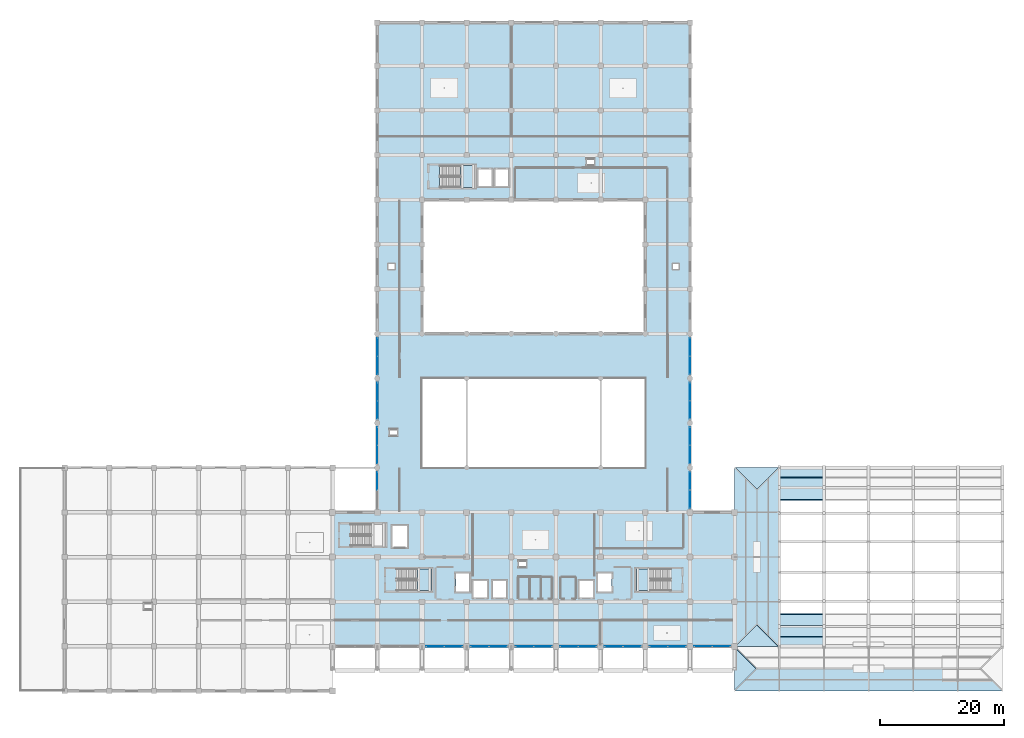
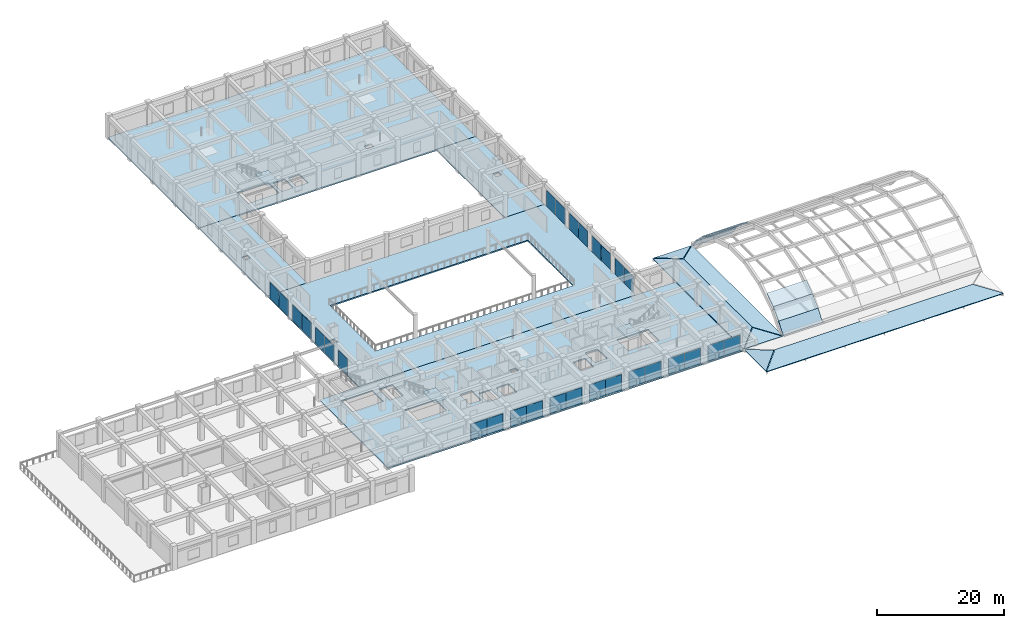
# One storey, part 30 of 54: 29 plates, 20 slabs, 18 elements without a shape of their own.
"""IFC4 building model written with IfcOpenShell, lengths in metres."""

from ifc_helpers import new_model, si_unit, direction, frame, origin, origin_2d, place, context, subcontext, project, spatial, polyline, rectangle, outline, extrude, material, layer, layer_set, type_object, element, aggregate, save


model = new_model("IFC4")

# Units and contexts
model_context = context("Model", 3, precision=1e-05, world=origin(), true_north=direction((0.0, 1.0)))
body_context = subcontext(model_context, "Body", "Model", "MODEL_VIEW")
ifc_project = project(units=[si_unit("LENGTHUNIT", "METRE"), si_unit("AREAUNIT", "SQUARE_METRE"), si_unit("VOLUMEUNIT", "CUBIC_METRE"), si_unit("PLANEANGLEUNIT", "RADIAN"), si_unit("MASSUNIT", "GRAM", prefix="KILO")], contexts=[model_context])

# Site, building, storey
site_placement = place(None, origin())
site = spatial("IfcSite", under=ifc_project, at=site_placement, CompositionType="ELEMENT")
building_placement = place(site_placement, origin())
building = spatial("IfcBuilding", under=site, at=building_placement, Name="Kazehaya Institute of Natural Sciences", CompositionType="ELEMENT")
storey_placement = place(building_placement, frame((0.0, 0.0, 10.43994140625)))
storey = spatial("IfcBuildingStorey", under=building, at=storey_placement, Name="L02", CompositionType="ELEMENT", Elevation=10.43994140625)

# Curtain wall, plates
ifc_material_1 = material(Name="Aluminium alloy A6063S-T5", Category="aluminium")
curtain_wall_type = type_object("IfcCurtainWallType", Name="CW-SYS-03", PredefinedType="NOTDEFINED", material=ifc_material_1)
curtain_wall_1_placement = place(storey_placement, origin())
curtain_wall_1 = element("IfcCurtainWall", 1, at=curtain_wall_1_placement, inside=storey, type_object=curtain_wall_type, Name="L02 unitised curtain wall CW-L02-048", PredefinedType="NOTDEFINED")
ifc_material_2 = material(Name="Low-E double-glazed vision glass", Category="glass")
ifc_layer_1 = layer(ifc_material_2, 0.030029296875, Name="Low-E double-glazed vision glass", Category="glass")
ifc_layer_set_1 = layer_set([ifc_layer_1], Name="Low-E double-glazed vision glass")
plate_type_1 = type_object("IfcPlateType", Name="CWP-01", PredefinedType="CURTAIN_PANEL", material=ifc_layer_set_1)
plate_1_placement = place(storey_placement, frame((117.264892578125, 14.0, 0.06005859375), z_axis=(0.0, 0.0, 1.0), x_axis=(-1.0, 0.0, 0.0)))
plate_1 = element("IfcPlate", 2, at=plate_1_placement, type_object=plate_type_1, Name="CW03 panel 1.1", PredefinedType="CURTAIN_PANEL", context=body_context, shape_type="SweptSolid", body=[
    extrude(rectangle(XDim=2.8701171875, YDim=0.030029296875, at=origin_2d()), origin(), (0.0, 0.0, 1.0), 3.06005859375),
])
plate_2_placement = place(storey_placement, frame((114.3349609375, 14.0, 0.06005859375), z_axis=(0.0, 0.0, 1.0), x_axis=(-1.0, 0.0, 0.0)))
plate_2 = element("IfcPlate", 3, at=plate_2_placement, type_object=plate_type_1, Name="CW03 panel 2.1", PredefinedType="CURTAIN_PANEL", context=body_context, shape_type="SweptSolid", body=[
    extrude(rectangle(XDim=2.8701171875, YDim=0.030029296875, at=origin_2d()), origin(), (0.0, 0.0, 1.0), 3.06005859375),
])
aggregate(curtain_wall_1, [plate_1, plate_2])

curtain_wall_2_placement = place(storey_placement, origin())
curtain_wall_2 = element("IfcCurtainWall", 4, at=curtain_wall_2_placement, inside=storey, type_object=curtain_wall_type, Name="L02 unitised curtain wall CW-L02-049", PredefinedType="NOTDEFINED")
ifc_layer_2 = layer(ifc_material_2, 0.0400390625, Name="Low-E double-glazed vision glass", Category="glass")
ifc_layer_set_2 = layer_set([ifc_layer_2], Name="Low-E double-glazed vision glass")
plate_type_2 = type_object("IfcPlateType", Name="CWP-02", PredefinedType="CURTAIN_PANEL", material=ifc_layer_set_2)
plate_3_placement = place(storey_placement, frame((110.06494140625, 14.0, 0.06005859375), z_axis=(0.0, 0.0, 1.0), x_axis=(-1.0, 0.0, 0.0)))
plate_3 = element("IfcPlate", 5, at=plate_3_placement, type_object=plate_type_2, Name="CW03 panel 1.1", PredefinedType="CURTAIN_PANEL", context=body_context, shape_type="SweptSolid", body=[
    extrude(rectangle(XDim=2.8701171875, YDim=0.0400390625, at=origin_2d()), origin(), (0.0, 0.0, 1.0), 3.06005859375),
])
plate_4_placement = place(storey_placement, frame((107.135009765625, 14.0, 0.06005859375), z_axis=(0.0, 0.0, 1.0), x_axis=(-1.0, 0.0, 0.0)))
plate_4 = element("IfcPlate", 6, at=plate_4_placement, type_object=plate_type_2, Name="CW03 panel 2.1", PredefinedType="CURTAIN_PANEL", context=body_context, shape_type="SweptSolid", body=[
    extrude(rectangle(XDim=2.8701171875, YDim=0.0400390625, at=origin_2d()), origin(), (0.0, 0.0, 1.0), 3.06005859375),
])
aggregate(curtain_wall_2, [plate_3, plate_4])

# Curtain wall, plate
curtain_wall_3_placement = place(storey_placement, origin())
curtain_wall_3 = element("IfcCurtainWall", 7, at=curtain_wall_3_placement, inside=storey, type_object=curtain_wall_type, Name="L02 unitised curtain wall CW-L02-023", PredefinedType="NOTDEFINED")
ifc_layer_3 = layer(ifc_material_2, 0.050048828125, Name="Low-E double-glazed vision glass", Category="glass")
ifc_layer_set_3 = layer_set([ifc_layer_3], Name="Low-E double-glazed vision glass")
plate_type_3 = type_object("IfcPlateType", Name="CWP-03", PredefinedType="CURTAIN_PANEL", material=ifc_layer_set_3)
plate_5_placement = place(storey_placement, frame((61.800048828125, 40.6650390625, 0.06005859375), z_axis=(0.0, 0.0, 1.0), x_axis=(0.0, 1.0, 0.0)))
plate_5 = element("IfcPlate", 8, at=plate_5_placement, type_object=plate_type_3, Name="CW03 panel 2.1", PredefinedType="CURTAIN_PANEL", context=body_context, shape_type="SweptSolid", body=[
    extrude(rectangle(XDim=2.8701171875, YDim=0.050048828125, at=origin_2d()), origin(), (0.0, 0.0, 1.0), 3.06005859375),
])
aggregate(curtain_wall_3, [plate_5])

# Curtain wall, plates
curtain_wall_4_placement = place(storey_placement, origin())
curtain_wall_4 = element("IfcCurtainWall", 9, at=curtain_wall_4_placement, inside=storey, type_object=curtain_wall_type, Name="L02 unitised curtain wall CW-L02-050", PredefinedType="NOTDEFINED")
plate_6_placement = place(storey_placement, frame((102.864990234375, 14.0, 0.06005859375), z_axis=(0.0, 0.0, 1.0), x_axis=(-1.0, 0.0, 0.0)))
plate_6 = element("IfcPlate", 10, at=plate_6_placement, type_object=plate_type_3, Name="CW03 panel 1.1", PredefinedType="CURTAIN_PANEL", context=body_context, shape_type="SweptSolid", body=[
    extrude(rectangle(XDim=2.8701171875, YDim=0.050048828125, at=origin_2d()), origin(), (0.0, 0.0, 1.0), 3.06005859375),
])
plate_7_placement = place(storey_placement, frame((99.93505859375, 14.0, 0.06005859375), z_axis=(0.0, 0.0, 1.0), x_axis=(-1.0, 0.0, 0.0)))
plate_7 = element("IfcPlate", 11, at=plate_7_placement, type_object=plate_type_3, Name="CW03 panel 2.1", PredefinedType="CURTAIN_PANEL", context=body_context, shape_type="SweptSolid", body=[
    extrude(rectangle(XDim=2.8701171875, YDim=0.050048828125, at=origin_2d()), origin(), (0.0, 0.0, 1.0), 3.06005859375),
])
aggregate(curtain_wall_4, [plate_6, plate_7])

curtain_wall_5_placement = place(storey_placement, origin())
curtain_wall_5 = element("IfcCurtainWall", 12, at=curtain_wall_5_placement, inside=storey, type_object=curtain_wall_type, Name="L02 unitised curtain wall CW-L02-024", PredefinedType="NOTDEFINED")
ifc_layer_4 = layer(ifc_material_2, 0.06005859375, Name="Low-E double-glazed vision glass", Category="glass")
ifc_layer_set_4 = layer_set([ifc_layer_4], Name="Low-E double-glazed vision glass")
plate_type_4 = type_object("IfcPlateType", Name="CWP-04", PredefinedType="CURTAIN_PANEL", material=ifc_layer_set_4)
plate_8_placement = place(storey_placement, frame((112.199951171875, 40.6650390625, 0.06005859375), z_axis=(0.0, 0.0, 1.0), x_axis=(0.0, -1.0, 0.0)))
plate_8 = element("IfcPlate", 13, at=plate_8_placement, type_object=plate_type_4, Name="CW03 panel 1.1", PredefinedType="CURTAIN_PANEL", context=body_context, shape_type="SweptSolid", body=[
    extrude(rectangle(XDim=2.8701171875, YDim=0.06005859375, at=origin_2d()), origin(), (0.0, 0.0, 1.0), 3.06005859375),
])
plate_9_placement = place(storey_placement, frame((112.199951171875, 37.735107421875, 0.06005859375), z_axis=(0.0, 0.0, 1.0), x_axis=(0.0, -1.0, 0.0)))
plate_9 = element("IfcPlate", 14, at=plate_9_placement, type_object=plate_type_4, Name="CW03 panel 2.1", PredefinedType="CURTAIN_PANEL", context=body_context, shape_type="SweptSolid", body=[
    extrude(rectangle(XDim=2.8701171875, YDim=0.06005859375, at=origin_2d()), origin(), (0.0, 0.0, 1.0), 3.06005859375),
])
aggregate(curtain_wall_5, [plate_8, plate_9])

curtain_wall_6_placement = place(storey_placement, origin())
curtain_wall_6 = element("IfcCurtainWall", 15, at=curtain_wall_6_placement, inside=storey, type_object=curtain_wall_type, Name="L02 unitised curtain wall CW-L02-025", PredefinedType="NOTDEFINED")
plate_10_placement = place(storey_placement, frame((61.800048828125, 44.93505859375, 0.06005859375), z_axis=(0.0, 0.0, 1.0), x_axis=(0.0, 1.0, 0.0)))
plate_10 = element("IfcPlate", 16, at=plate_10_placement, type_object=plate_type_4, Name="CW03 panel 1.1", PredefinedType="CURTAIN_PANEL", context=body_context, shape_type="SweptSolid", body=[
    extrude(rectangle(XDim=2.8701171875, YDim=0.06005859375, at=origin_2d()), origin(), (0.0, 0.0, 1.0), 3.06005859375),
])
plate_11_placement = place(storey_placement, frame((61.800048828125, 47.864990234375, 0.06005859375), z_axis=(0.0, 0.0, 1.0), x_axis=(0.0, 1.0, 0.0)))
plate_11 = element("IfcPlate", 17, at=plate_11_placement, type_object=plate_type_4, Name="CW03 panel 2.1", PredefinedType="CURTAIN_PANEL", context=body_context, shape_type="SweptSolid", body=[
    extrude(rectangle(XDim=2.8701171875, YDim=0.06005859375, at=origin_2d()), origin(), (0.0, 0.0, 1.0), 3.06005859375),
])
aggregate(curtain_wall_6, [plate_10, plate_11])

curtain_wall_7_placement = place(storey_placement, origin())
curtain_wall_7 = element("IfcCurtainWall", 18, at=curtain_wall_7_placement, inside=storey, type_object=curtain_wall_type, Name="L02 unitised curtain wall CW-L02-051", PredefinedType="NOTDEFINED")
plate_12_placement = place(storey_placement, frame((95.6650390625, 14.0, 0.06005859375), z_axis=(0.0, 0.0, 1.0), x_axis=(-1.0, 0.0, 0.0)))
plate_12 = element("IfcPlate", 19, at=plate_12_placement, type_object=plate_type_4, Name="CW03 panel 1.1", PredefinedType="CURTAIN_PANEL", context=body_context, shape_type="SweptSolid", body=[
    extrude(rectangle(XDim=2.8701171875, YDim=0.06005859375, at=origin_2d()), origin(), (0.0, 0.0, 1.0), 3.06005859375),
])
plate_13_placement = place(storey_placement, frame((92.735107421875, 14.0, 0.06005859375), z_axis=(0.0, 0.0, 1.0), x_axis=(-1.0, 0.0, 0.0)))
plate_13 = element("IfcPlate", 20, at=plate_13_placement, type_object=plate_type_4, Name="CW03 panel 2.1", PredefinedType="CURTAIN_PANEL", context=body_context, shape_type="SweptSolid", body=[
    extrude(rectangle(XDim=2.8701171875, YDim=0.06005859375, at=origin_2d()), origin(), (0.0, 0.0, 1.0), 3.06005859375),
])
aggregate(curtain_wall_7, [plate_12, plate_13])

curtain_wall_8_placement = place(storey_placement, origin())
curtain_wall_8 = element("IfcCurtainWall", 21, at=curtain_wall_8_placement, inside=storey, type_object=curtain_wall_type, Name="L02 unitised curtain wall CW-L02-026", PredefinedType="NOTDEFINED")
ifc_material_3 = material(Name="Insulated bronze aluminium spandrel panel", Category="aluminium")
ifc_layer_5 = layer(ifc_material_3, 0.070068359375, Name="Insulated bronze aluminium spandrel panel", Category="aluminium")
ifc_layer_set_5 = layer_set([ifc_layer_5], Name="Insulated bronze aluminium spandrel panel")
plate_type_5 = type_object("IfcPlateType", Name="CWP-05", PredefinedType="CURTAIN_PANEL", material=ifc_layer_set_5)
plate_14_placement = place(storey_placement, frame((112.199951171875, 47.864990234375, 0.06005859375), z_axis=(0.0, 0.0, 1.0), x_axis=(0.0, -1.0, 0.0)))
plate_14 = element("IfcPlate", 22, at=plate_14_placement, type_object=plate_type_5, Name="CW03 panel 1.1", PredefinedType="CURTAIN_PANEL", context=body_context, shape_type="SweptSolid", body=[
    extrude(rectangle(XDim=2.8701171875, YDim=0.070068359375, at=origin_2d()), origin(), (0.0, 0.0, 1.0), 3.06005859375),
])
plate_15_placement = place(storey_placement, frame((112.199951171875, 44.93505859375, 0.06005859375), z_axis=(0.0, 0.0, 1.0), x_axis=(0.0, -1.0, 0.0)))
plate_15 = element("IfcPlate", 23, at=plate_15_placement, type_object=plate_type_5, Name="CW03 panel 2.1", PredefinedType="CURTAIN_PANEL", context=body_context, shape_type="SweptSolid", body=[
    extrude(rectangle(XDim=2.8701171875, YDim=0.070068359375, at=origin_2d()), origin(), (0.0, 0.0, 1.0), 3.06005859375),
])
aggregate(curtain_wall_8, [plate_14, plate_15])

curtain_wall_9_placement = place(storey_placement, origin())
curtain_wall_9 = element("IfcCurtainWall", 24, at=curtain_wall_9_placement, inside=storey, type_object=curtain_wall_type, Name="L02 unitised curtain wall CW-L02-027", PredefinedType="NOTDEFINED")
plate_16_placement = place(storey_placement, frame((61.800048828125, 52.135009765625, 0.06005859375), z_axis=(0.0, 0.0, 1.0), x_axis=(0.0, 1.0, 0.0)))
plate_16 = element("IfcPlate", 25, at=plate_16_placement, type_object=plate_type_5, Name="CW03 panel 1.1", PredefinedType="CURTAIN_PANEL", context=body_context, shape_type="SweptSolid", body=[
    extrude(rectangle(XDim=2.8701171875, YDim=0.070068359375, at=origin_2d()), origin(), (0.0, 0.0, 1.0), 3.06005859375),
])
plate_17_placement = place(storey_placement, frame((61.800048828125, 55.06494140625, 0.06005859375), z_axis=(0.0, 0.0, 1.0), x_axis=(0.0, 1.0, 0.0)))
plate_17 = element("IfcPlate", 26, at=plate_17_placement, type_object=plate_type_5, Name="CW03 panel 2.1", PredefinedType="CURTAIN_PANEL", context=body_context, shape_type="SweptSolid", body=[
    extrude(rectangle(XDim=2.8701171875, YDim=0.070068359375, at=origin_2d()), origin(), (0.0, 0.0, 1.0), 3.06005859375),
])
aggregate(curtain_wall_9, [plate_16, plate_17])

curtain_wall_10_placement = place(storey_placement, origin())
curtain_wall_10 = element("IfcCurtainWall", 27, at=curtain_wall_10_placement, inside=storey, type_object=curtain_wall_type, Name="L02 unitised curtain wall CW-L02-052", PredefinedType="NOTDEFINED")
plate_18_placement = place(storey_placement, frame((88.465087890625, 14.0, 0.06005859375), z_axis=(0.0, 0.0, 1.0), x_axis=(-1.0, 0.0, 0.0)))
plate_18 = element("IfcPlate", 28, at=plate_18_placement, type_object=plate_type_5, Name="CW03 panel 1.1", PredefinedType="CURTAIN_PANEL", context=body_context, shape_type="SweptSolid", body=[
    extrude(rectangle(XDim=2.8701171875, YDim=0.070068359375, at=origin_2d()), origin(), (0.0, 0.0, 1.0), 3.06005859375),
])
plate_19_placement = place(storey_placement, frame((85.534912109375, 14.0, 0.06005859375), z_axis=(0.0, 0.0, 1.0), x_axis=(-1.0, 0.0, 0.0)))
plate_19 = element("IfcPlate", 29, at=plate_19_placement, type_object=plate_type_5, Name="CW03 panel 2.1", PredefinedType="CURTAIN_PANEL", context=body_context, shape_type="SweptSolid", body=[
    extrude(rectangle(XDim=2.8701171875, YDim=0.070068359375, at=origin_2d()), origin(), (0.0, 0.0, 1.0), 3.06005859375),
])
aggregate(curtain_wall_10, [plate_18, plate_19])

curtain_wall_11_placement = place(storey_placement, origin())
curtain_wall_11 = element("IfcCurtainWall", 30, at=curtain_wall_11_placement, inside=storey, type_object=curtain_wall_type, Name="L02 unitised curtain wall CW-L02-028", PredefinedType="NOTDEFINED")
ifc_layer_6 = layer(ifc_material_3, 0.080078125, Name="Insulated bronze aluminium spandrel panel", Category="aluminium")
ifc_layer_set_6 = layer_set([ifc_layer_6], Name="Insulated bronze aluminium spandrel panel")
plate_type_6 = type_object("IfcPlateType", Name="CWP-06", PredefinedType="CURTAIN_PANEL", material=ifc_layer_set_6)
plate_20_placement = place(storey_placement, frame((112.199951171875, 55.06494140625, 0.06005859375), z_axis=(0.0, 0.0, 1.0), x_axis=(0.0, -1.0, 0.0)))
plate_20 = element("IfcPlate", 31, at=plate_20_placement, type_object=plate_type_6, Name="CW03 panel 1.1", PredefinedType="CURTAIN_PANEL", context=body_context, shape_type="SweptSolid", body=[
    extrude(rectangle(XDim=2.8701171875, YDim=0.080078125, at=origin_2d()), origin(), (0.0, 0.0, 1.0), 3.06005859375),
])
plate_21_placement = place(storey_placement, frame((112.199951171875, 52.135009765625, 0.06005859375), z_axis=(0.0, 0.0, 1.0), x_axis=(0.0, -1.0, 0.0)))
plate_21 = element("IfcPlate", 32, at=plate_21_placement, type_object=plate_type_6, Name="CW03 panel 2.1", PredefinedType="CURTAIN_PANEL", context=body_context, shape_type="SweptSolid", body=[
    extrude(rectangle(XDim=2.8701171875, YDim=0.080078125, at=origin_2d()), origin(), (0.0, 0.0, 1.0), 3.06005859375),
])
aggregate(curtain_wall_11, [plate_20, plate_21])

curtain_wall_12_placement = place(storey_placement, origin())
curtain_wall_12 = element("IfcCurtainWall", 33, at=curtain_wall_12_placement, inside=storey, type_object=curtain_wall_type, Name="L02 unitised curtain wall CW-L02-029", PredefinedType="NOTDEFINED")
plate_22_placement = place(storey_placement, frame((61.800048828125, 59.3349609375, 0.06005859375), z_axis=(0.0, 0.0, 1.0), x_axis=(0.0, 1.0, 0.0)))
plate_22 = element("IfcPlate", 34, at=plate_22_placement, type_object=plate_type_6, Name="CW03 panel 1.1", PredefinedType="CURTAIN_PANEL", context=body_context, shape_type="SweptSolid", body=[
    extrude(rectangle(XDim=2.8701171875, YDim=0.080078125, at=origin_2d()), origin(), (0.0, 0.0, 1.0), 3.06005859375),
])
plate_23_placement = place(storey_placement, frame((61.800048828125, 62.264892578125, 0.06005859375), z_axis=(0.0, 0.0, 1.0), x_axis=(0.0, 1.0, 0.0)))
plate_23 = element("IfcPlate", 35, at=plate_23_placement, type_object=plate_type_6, Name="CW03 panel 2.1", PredefinedType="CURTAIN_PANEL", context=body_context, shape_type="SweptSolid", body=[
    extrude(rectangle(XDim=2.8701171875, YDim=0.080078125, at=origin_2d()), origin(), (0.0, 0.0, 1.0), 3.06005859375),
])
aggregate(curtain_wall_12, [plate_22, plate_23])

curtain_wall_13_placement = place(storey_placement, origin())
curtain_wall_13 = element("IfcCurtainWall", 36, at=curtain_wall_13_placement, inside=storey, type_object=curtain_wall_type, Name="L02 unitised curtain wall CW-L02-053", PredefinedType="NOTDEFINED")
plate_24_placement = place(storey_placement, frame((81.264892578125, 14.0, 0.06005859375), z_axis=(0.0, 0.0, 1.0), x_axis=(-1.0, 0.0, 0.0)))
plate_24 = element("IfcPlate", 37, at=plate_24_placement, type_object=plate_type_6, Name="CW03 panel 1.1", PredefinedType="CURTAIN_PANEL", context=body_context, shape_type="SweptSolid", body=[
    extrude(rectangle(XDim=2.8701171875, YDim=0.080078125, at=origin_2d()), origin(), (0.0, 0.0, 1.0), 3.06005859375),
])
plate_25_placement = place(storey_placement, frame((78.3349609375, 14.0, 0.06005859375), z_axis=(0.0, 0.0, 1.0), x_axis=(-1.0, 0.0, 0.0)))
plate_25 = element("IfcPlate", 38, at=plate_25_placement, type_object=plate_type_6, Name="CW03 panel 2.1", PredefinedType="CURTAIN_PANEL", context=body_context, shape_type="SweptSolid", body=[
    extrude(rectangle(XDim=2.8701171875, YDim=0.080078125, at=origin_2d()), origin(), (0.0, 0.0, 1.0), 3.06005859375),
])
aggregate(curtain_wall_13, [plate_24, plate_25])

curtain_wall_14_placement = place(storey_placement, origin())
curtain_wall_14 = element("IfcCurtainWall", 39, at=curtain_wall_14_placement, inside=storey, type_object=curtain_wall_type, Name="L02 unitised curtain wall CW-L02-030", PredefinedType="NOTDEFINED")
ifc_layer_7 = layer(ifc_material_3, 0.090087890625, Name="Insulated bronze aluminium spandrel panel", Category="aluminium")
ifc_layer_set_7 = layer_set([ifc_layer_7], Name="Insulated bronze aluminium spandrel panel")
plate_type_7 = type_object("IfcPlateType", Name="CWP-07", PredefinedType="CURTAIN_PANEL", material=ifc_layer_set_7)
plate_26_placement = place(storey_placement, frame((112.199951171875, 62.264892578125, 0.06005859375), z_axis=(0.0, 0.0, 1.0), x_axis=(0.0, -1.0, 0.0)))
plate_26 = element("IfcPlate", 40, at=plate_26_placement, type_object=plate_type_7, Name="CW03 panel 1.1", PredefinedType="CURTAIN_PANEL", context=body_context, shape_type="SweptSolid", body=[
    extrude(rectangle(XDim=2.8701171875, YDim=0.090087890625, at=origin_2d()), origin(), (0.0, 0.0, 1.0), 3.06005859375),
])
plate_27_placement = place(storey_placement, frame((112.199951171875, 59.3349609375, 0.06005859375), z_axis=(0.0, 0.0, 1.0), x_axis=(0.0, -1.0, 0.0)))
plate_27 = element("IfcPlate", 41, at=plate_27_placement, type_object=plate_type_7, Name="CW03 panel 2.1", PredefinedType="CURTAIN_PANEL", context=body_context, shape_type="SweptSolid", body=[
    extrude(rectangle(XDim=2.8701171875, YDim=0.090087890625, at=origin_2d()), origin(), (0.0, 0.0, 1.0), 3.06005859375),
])
aggregate(curtain_wall_14, [plate_26, plate_27])

curtain_wall_15_placement = place(storey_placement, origin())
curtain_wall_15 = element("IfcCurtainWall", 42, at=curtain_wall_15_placement, inside=storey, type_object=curtain_wall_type, Name="L02 unitised curtain wall CW-L02-054", PredefinedType="NOTDEFINED")
plate_28_placement = place(storey_placement, frame((74.06494140625, 14.0, 0.06005859375), z_axis=(0.0, 0.0, 1.0), x_axis=(-1.0, 0.0, 0.0)))
plate_28 = element("IfcPlate", 43, at=plate_28_placement, type_object=plate_type_7, Name="CW03 panel 1.1", PredefinedType="CURTAIN_PANEL", context=body_context, shape_type="SweptSolid", body=[
    extrude(rectangle(XDim=2.8701171875, YDim=0.090087890625, at=origin_2d()), origin(), (0.0, 0.0, 1.0), 3.06005859375),
])
plate_29_placement = place(storey_placement, frame((71.135009765625, 14.0, 0.06005859375), z_axis=(0.0, 0.0, 1.0), x_axis=(-1.0, 0.0, 0.0)))
plate_29 = element("IfcPlate", 44, at=plate_29_placement, type_object=plate_type_7, Name="CW03 panel 2.1", PredefinedType="CURTAIN_PANEL", context=body_context, shape_type="SweptSolid", body=[
    extrude(rectangle(XDim=2.8701171875, YDim=0.090087890625, at=origin_2d()), origin(), (0.0, 0.0, 1.0), 3.06005859375),
])
aggregate(curtain_wall_15, [plate_28, plate_29])

# Slabs
ifc_material_4 = material(Name="Concrete Fc36", Category="concrete")
ifc_layer_8 = layer(ifc_material_4, 0.239990234375, Name="Concrete Fc36", Category="concrete")
ifc_layer_set_8 = layer_set([ifc_layer_8], Name="Concrete Fc36")
slab_type_1 = type_object("IfcSlabType", Name="SL-FLR-240", PredefinedType="FLOOR", material=ifc_layer_set_8)
slab_1_placement = place(storey_placement, frame((0.0, 0.0, -0.239990234375)))
element("IfcSlab", 45, at=slab_1_placement, inside=storey, type_object=slab_type_1, Name="L02 structural slab L02-VOL5W", PredefinedType="FLOOR", context=body_context, shape_type="SweptSolid", body=[
    extrude(outline(polyline([(61.800048828125, 64.39990234375), (69.0, 64.39990234375), (69.0, 86.0), (61.800048828125, 86.0), (61.800048828125, 64.39990234375)]), holes=[polyline([(63.60009765625, 74.800048828125), (64.60009765625, 74.800048828125), (64.60009765625, 75.699951171875), (63.60009765625, 75.699951171875), (63.60009765625, 74.800048828125)])]), origin(), (0.0, 0.0, 1.0), 0.239990234375),
])
slab_2_placement = place(storey_placement, frame((0.0, 0.0, -0.239990234375)))
element("IfcSlab", 46, at=slab_2_placement, inside=storey, type_object=slab_type_1, Name="L02 structural slab L02-VOL5E", PredefinedType="FLOOR", context=body_context, shape_type="SweptSolid", body=[
    extrude(outline(polyline([(105.0, 64.39990234375), (112.199951171875, 64.39990234375), (112.199951171875, 86.0), (105.0, 86.0), (105.0, 64.39990234375)]), holes=[polyline([(109.39990234375, 74.800048828125), (110.39990234375, 74.800048828125), (110.39990234375, 75.699951171875), (109.39990234375, 75.699951171875), (109.39990234375, 74.800048828125)])]), origin(), (0.0, 0.0, 1.0), 0.239990234375),
])
ifc_layer_9 = layer(ifc_material_4, 0.25, Name="Concrete Fc36", Category="concrete")
ifc_layer_set_9 = layer_set([ifc_layer_9], Name="Concrete Fc36")
slab_type_2 = type_object("IfcSlabType", Name="SL-FLR-250", PredefinedType="FLOOR", material=ifc_layer_set_9)
slab_3_placement = place(storey_placement, frame((0.0, 0.0, -0.25)))
element("IfcSlab", 47, at=slab_3_placement, inside=storey, type_object=slab_type_2, Name="L02 structural slab L02-VOL4", PredefinedType="FLOOR", context=body_context, shape_type="SweptSolid", body=[
    extrude(outline(polyline([(54.60009765625, 14.0), (119.39990234375, 14.0), (119.39990234375, 35.60009765625), (54.60009765625, 35.60009765625), (54.60009765625, 14.0)]), holes=[polyline([(84.60009765625, 26.800048828125), (85.800048828125, 26.800048828125), (85.800048828125, 27.699951171875), (84.60009765625, 27.699951171875), (84.60009765625, 26.800048828125)]), polyline([(64.860107421875, 23.0), (70.5, 23.0), (70.5, 26.47998046875), (64.860107421875, 26.47998046875), (64.860107421875, 23.0)]), polyline([(103.5, 23.0), (109.139892578125, 23.0), (109.139892578125, 26.47998046875), (103.5, 26.47998046875), (103.5, 23.0)]), polyline([(57.4599609375, 30.199951171875), (63.10009765625, 30.199951171875), (63.10009765625, 33.679931640625), (57.4599609375, 33.679931640625), (57.4599609375, 30.199951171875)]), polyline([(74.449951171875, 22.800048828125), (76.64990234375, 22.800048828125), (76.64990234375, 25.800048828125), (74.449951171875, 25.800048828125), (74.449951171875, 22.800048828125)]), polyline([(97.35009765625, 22.800048828125), (99.550048828125, 22.800048828125), (99.550048828125, 25.800048828125), (97.35009765625, 25.800048828125), (97.35009765625, 22.800048828125)]), polyline([(77.300048828125, 21.85009765625), (79.5, 21.85009765625), (79.5, 24.550048828125), (77.300048828125, 24.550048828125), (77.300048828125, 21.85009765625)]), polyline([(80.39990234375, 21.85009765625), (82.60009765625, 21.85009765625), (82.60009765625, 24.550048828125), (80.39990234375, 24.550048828125), (80.39990234375, 21.85009765625)]), polyline([(94.39990234375, 21.85009765625), (96.60009765625, 21.85009765625), (96.60009765625, 24.550048828125), (94.39990234375, 24.550048828125), (94.39990234375, 21.85009765625)]), polyline([(64.199951171875, 30.0), (66.60009765625, 30.0), (66.60009765625, 33.39990234375), (64.199951171875, 33.39990234375), (64.199951171875, 30.0)])]), origin(), (0.0, 0.0, 1.0), 0.25),
])
slab_4_placement = place(storey_placement, frame((0.0, 0.0, -0.25)))
element("IfcSlab", 48, at=slab_4_placement, inside=storey, type_object=slab_type_2, Name="L02 structural slab L02-VOL2", PredefinedType="FLOOR", context=body_context, shape_type="SweptSolid", body=[
    extrude(outline(polyline([(61.800048828125, 35.60009765625), (112.199951171875, 35.60009765625), (112.199951171875, 64.39990234375), (61.800048828125, 64.39990234375), (61.800048828125, 35.60009765625)]), holes=[polyline([(63.800048828125, 48.0), (65.0, 48.0), (65.0, 48.89990234375), (63.800048828125, 48.89990234375), (63.800048828125, 48.0)]), polyline([(69.0, 42.800048828125), (105.0, 42.800048828125), (105.0, 57.199951171875), (69.0, 57.199951171875), (69.0, 42.800048828125)])]), origin(), (0.0, 0.0, 1.0), 0.25),
])
slab_5_placement = place(storey_placement, frame((0.0, 0.0, -0.25)))
element("IfcSlab", 49, at=slab_5_placement, inside=storey, type_object=slab_type_2, Name="L02 structural slab L02-VOL5N", PredefinedType="FLOOR", context=body_context, shape_type="SweptSolid", body=[
    extrude(outline(polyline([(61.800048828125, 86.0), (112.199951171875, 86.0), (112.199951171875, 114.800048828125), (61.800048828125, 114.800048828125), (61.800048828125, 86.0)]), holes=[polyline([(95.60009765625, 91.60009765625), (96.800048828125, 91.60009765625), (96.800048828125, 92.5), (95.60009765625, 92.5), (95.60009765625, 91.60009765625)]), polyline([(71.860107421875, 88.0), (77.5, 88.0), (77.5, 91.47998046875), (71.860107421875, 91.47998046875), (71.860107421875, 88.0)]), polyline([(78.10009765625, 88.199951171875), (80.199951171875, 88.199951171875), (80.199951171875, 90.89990234375), (78.10009765625, 90.89990234375), (78.10009765625, 88.199951171875)]), polyline([(80.800048828125, 88.199951171875), (82.89990234375, 88.199951171875), (82.89990234375, 90.89990234375), (80.800048828125, 90.89990234375), (80.800048828125, 88.199951171875)])]), origin(), (0.0, 0.0, 1.0), 0.25),
])

# Stair, slab
stair_type = type_object("IfcStairType", Name="STR-DOG-4680", PredefinedType="HALF_TURN_STAIR", material=ifc_material_4)
stair_1_placement = place(storey_placement, origin())
stair_1 = element("IfcStair", 50, at=stair_1_placement, inside=storey, type_object=stair_type, Name="L02 Protected Escape Stair ST-1", PredefinedType="HALF_TURN_STAIR")
ifc_layer_10 = layer(ifc_material_4, 0.159912109375, Name="Concrete Fc36", Category="concrete")
ifc_layer_set_10 = layer_set([ifc_layer_10], Name="Concrete Fc36")
slab_type_3 = type_object("IfcSlabType", Name="SL-LND-160", PredefinedType="LANDING", material=ifc_layer_set_10)
slab_6_placement = place(storey_placement, frame((0.0, 0.0, 2.14013671875)))
slab_6 = element("IfcSlab", 51, at=slab_6_placement, type_object=slab_type_3, Name="ST-1 landing 1", PredefinedType="LANDING", context=body_context, shape_type="SweptSolid", body=[
    extrude(outline(polyline([(68.219970703125, 23.0), (70.5, 23.0), (70.5, 26.47998046875), (68.219970703125, 26.47998046875), (68.219970703125, 23.0)])), origin(), (0.0, 0.0, 1.0), 0.199951171875),
])
aggregate(stair_1, [slab_6])

stair_2_placement = place(storey_placement, origin())
stair_2 = element("IfcStair", 52, at=stair_2_placement, inside=storey, type_object=stair_type, Name="L02 Protected Escape Stair ST-2", PredefinedType="HALF_TURN_STAIR")
slab_7_placement = place(storey_placement, frame((0.0, 0.0, 2.14013671875)))
slab_7 = element("IfcSlab", 53, at=slab_7_placement, type_object=slab_type_3, Name="ST-2 landing 1", PredefinedType="LANDING", context=body_context, shape_type="SweptSolid", body=[
    extrude(outline(polyline([(105.780029296875, 26.47998046875), (103.5, 26.47998046875), (103.5, 23.0), (105.780029296875, 23.0), (105.780029296875, 26.47998046875)])), origin(), (0.0, 0.0, 1.0), 0.199951171875),
])
aggregate(stair_2, [slab_7])

stair_3_placement = place(storey_placement, origin())
stair_3 = element("IfcStair", 54, at=stair_3_placement, inside=storey, type_object=stair_type, Name="L02 Protected Escape Stair ST-3", PredefinedType="HALF_TURN_STAIR")
slab_8_placement = place(storey_placement, frame((0.0, 0.0, 2.14013671875)))
slab_8 = element("IfcSlab", 55, at=slab_8_placement, type_object=slab_type_3, Name="ST-3 landing 1", PredefinedType="LANDING", context=body_context, shape_type="SweptSolid", body=[
    extrude(outline(polyline([(75.219970703125, 88.0), (77.5, 88.0), (77.5, 91.47998046875), (75.219970703125, 91.47998046875), (75.219970703125, 88.0)])), origin(), (0.0, 0.0, 1.0), 0.199951171875),
])
aggregate(stair_3, [slab_8])

# Slabs
ifc_layer_11 = layer(ifc_material_4, 0.179931640625, Name="Concrete Fc36", Category="concrete")
ifc_layer_set_11 = layer_set([ifc_layer_11], Name="Concrete Fc36")
slab_type_4 = type_object("IfcSlabType", Name="SL-ROF-180", PredefinedType="ROOF", material=ifc_layer_set_11)
slab_9_placement = place(storey_placement, frame((119.39990234375, 6.800048828125, 0.18017578125), z_axis=(0.0, -0.216446694847, 0.976294437293), x_axis=(1.0, 0.0, 0.0)))
element("IfcSlab", 56, at=slab_9_placement, inside=storey, type_object=slab_type_4, Name="ROOF-VOL1-FOYER south pitched roof slab", PredefinedType="ROOF", context=body_context, shape_type="SweptSolid", body=[
    extrude(outline(polyline([(0.0, 0.0), (43.2001953125, 0.0), (39.60009765625, 3.6872621394883582), (3.60009765625, 3.6872621394883582), (0.0, 0.0)])), origin(), (0.0, 0.0, -1.0), 0.179931640625),
])
slab_10_placement = place(storey_placement, frame((119.39990234375, 13.840087890625, 0.18017578125), z_axis=(-0.225990312699, 0.0, 0.97412954917), x_axis=(0.0, -1.0, 0.0)))
element("IfcSlab", 57, at=slab_10_placement, inside=storey, type_object=slab_type_4, Name="ROOF-VOL1-FOYER west hip pitched roof slab", PredefinedType="ROOF", context=body_context, shape_type="SweptSolid", body=[
    extrude(outline(polyline([(0.0, 0.0), (6.880126953125, 0.0), (3.440185546875, 3.531548293351548), (0.0, 0.0)])), origin(), (0.0, 0.0, -1.0), 0.179931640625),
])
for number, where, z_axis, x_axis, name in (
    (58, (119.39990234375, 42.800048828125, 0.18017578125), (-0.216432704115, 0.0, 0.976297538965), (0.0, -1.0, 0.0), "ROOF-VOL1-LINK west pitched roof slab"),
    (59, (126.60009765625, 14.0, 0.18017578125), (0.216432704115, 0.0, 0.976297538965), (0.0, 1.0, 0.0), "ROOF-VOL1-LINK east pitched roof slab"),
):
    element("IfcSlab", number, at=place(storey_placement, frame(where, z_axis=z_axis, x_axis=x_axis)), inside=storey, type_object=slab_type_4, Name=name, PredefinedType="ROOF", context=body_context, shape_type="SweptSolid", body=[
        extrude(outline(polyline([(0.0, 0.0), (28.800048828125, 0.0), (25.199951171875, 3.6875004930010964), (3.60009765625, 3.6875004930010964), (0.0, 0.0)])), origin(), (0.0, 0.0, -1.0), 0.179931640625),
    ])
for number, where, z_axis, x_axis, name in (
    (60, (119.56005859375, 14.0, 0.18017578125), (0.0, -0.226005532532, 0.974126018164), (1.0, 0.0, 0.0), "ROOF-VOL1-LINK south hip pitched roof slab"),
    (61, (126.43994140625, 42.800048828125, 0.18017578125), (0.0, 0.226005532532, 0.974126018164), (-1.0, 0.0, 0.0), "ROOF-VOL1-LINK north hip pitched roof slab"),
):
    element("IfcSlab", number, at=place(storey_placement, frame(where, z_axis=z_axis, x_axis=x_axis)), inside=storey, type_object=slab_type_4, Name=name, PredefinedType="ROOF", context=body_context, shape_type="SweptSolid", body=[
        extrude(outline(polyline([(0.0, 0.0), (6.8798828125, 0.0), (3.43994140625, 3.531310469185599), (0.0, 0.0)])), origin(), (0.0, 0.0, -1.0), 0.179931640625),
    ])
ifc_layer_12 = layer(ifc_material_4, 0.199951171875, Name="Concrete Fc36", Category="concrete")
ifc_layer_set_12 = layer_set([ifc_layer_12], Name="Concrete Fc36")
slab_type_5 = type_object("IfcSlabType", Name="SL-SHL-200", PredefinedType="ROOF", material=ifc_layer_set_12)
slab_11_placement = place(storey_placement, frame((126.60009765625, 14.0, 0.199951171875), z_axis=(0.0, -0.796766128925, 0.604287792197), x_axis=(1.0, 0.0, 0.0)))
element("IfcSlab", 62, at=slab_11_placement, inside=storey, type_object=slab_type_5, Name="SH-VOL1 barrel vault shell strip 1", PredefinedType="ROOF", context=body_context, shape_type="SweptSolid", body=[
    extrude(outline(polyline([(0.0, 0.0), (7.199951171875, 0.0), (7.199951171875, 2.436607405261094), (0.0, 2.436607405261094), (0.0, 0.0)])), origin(), (0.0, 0.0, -1.0), 0.199951171875),
])
slab_12_placement = place(storey_placement, frame((126.60009765625, 15.472412109375, 2.141357421875), z_axis=(0.0, -0.703389209479, 0.710804909935), x_axis=(1.0, 0.0, 0.0)))
element("IfcSlab", 63, at=slab_12_placement, inside=storey, type_object=slab_type_5, Name="SH-VOL1 barrel vault shell strip 2", PredefinedType="ROOF", context=body_context, shape_type="SweptSolid", body=[
    extrude(outline(polyline([(0.0, 0.0), (7.199951171875, 0.0), (7.199951171875, 2.436237326051286), (0.0, 2.436237326051286), (0.0, 0.0)])), origin(), (0.0, 0.0, -1.0), 0.199951171875),
])
for number, where, z_axis, x_axis, name in (
    (64, (126.60009765625, 17.2041015625, 3.85498046875), (0.0, -0.595807312983, 0.803127415667), (1.0, 0.0, 0.0), "SH-VOL1 barrel vault shell strip 3"),
    (65, (126.60009765625, 37.638916015625, 5.306640625), (0.0, 0.595807312983, 0.803127415667), (1.0, 0.0, 0.0), "SH-VOL1 barrel vault shell strip 12"),
):
    element("IfcSlab", number, at=place(storey_placement, frame(where, z_axis=z_axis, x_axis=x_axis)), inside=storey, type_object=slab_type_5, Name=name, PredefinedType="ROOF", context=body_context, shape_type="SweptSolid", body=[
        extrude(outline(polyline([(0.0, 0.0), (7.199951171875, 0.0), (7.199951171875, 2.436459111222666), (0.0, 2.436459111222666), (0.0, 0.0)])), origin(), (0.0, 0.0, -1.0), 0.199951171875),
    ])
slab_13_placement = place(storey_placement, frame((126.60009765625, 39.595703125, 3.85498046875), z_axis=(0.0, 0.703339107972, 0.710854485248), x_axis=(1.0, 0.0, 0.0)))
element("IfcSlab", 66, at=slab_13_placement, inside=storey, type_object=slab_type_5, Name="SH-VOL1 barrel vault shell strip 13", PredefinedType="ROOF", context=body_context, shape_type="SweptSolid", body=[
    extrude(outline(polyline([(0.0, 0.0), (7.199951171875, 0.0), (7.199951171875, 2.43641086845814), (0.0, 2.43641086845814), (0.0, 0.0)])), origin(), (0.0, 0.0, -1.0), 0.199951171875),
])
slab_14_placement = place(storey_placement, frame((126.60009765625, 41.32763671875, 2.141357421875), z_axis=(0.0, 0.796766128925, 0.604287792197), x_axis=(1.0, 0.0, 0.0)))
element("IfcSlab", 67, at=slab_14_placement, inside=storey, type_object=slab_type_5, Name="SH-VOL1 barrel vault shell strip 14", PredefinedType="ROOF", context=body_context, shape_type="SweptSolid", body=[
    extrude(outline(polyline([(0.0, 0.0), (7.199951171875, 0.0), (7.199951171875, 2.436607405261094), (0.0, 2.436607405261094), (0.0, 0.0)])), origin(), (0.0, 0.0, -1.0), 0.199951171875),
])

save(model, "model.ifc")
